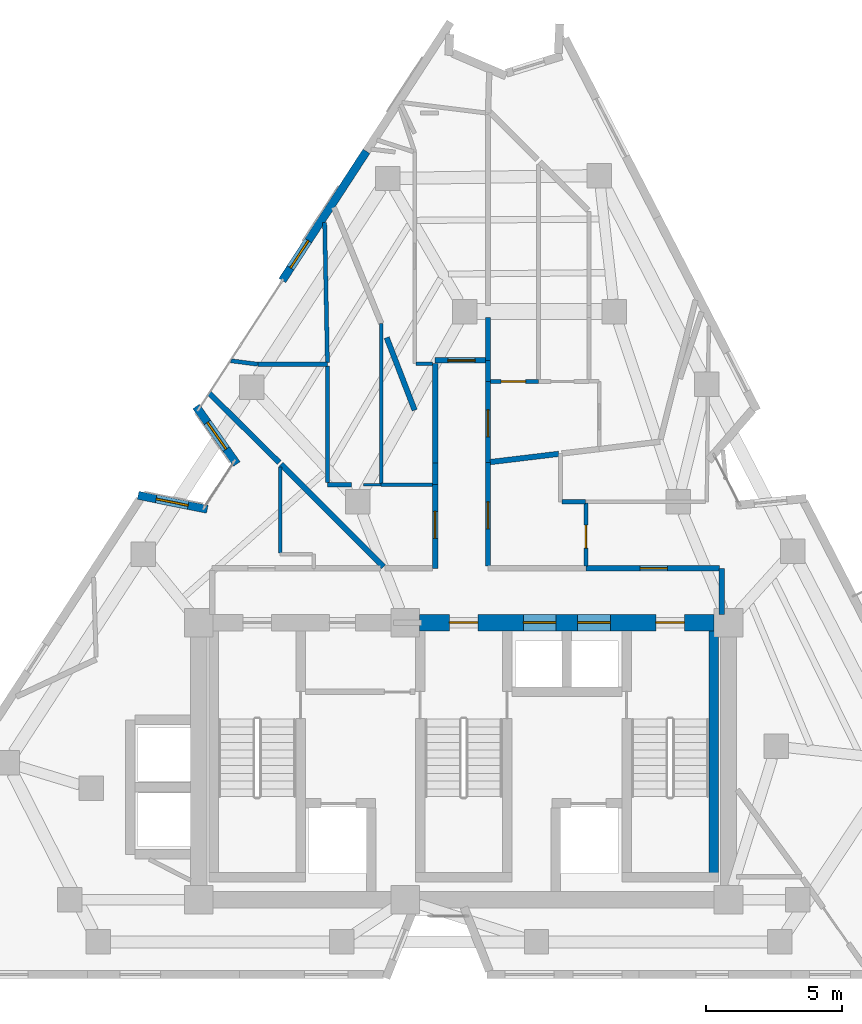
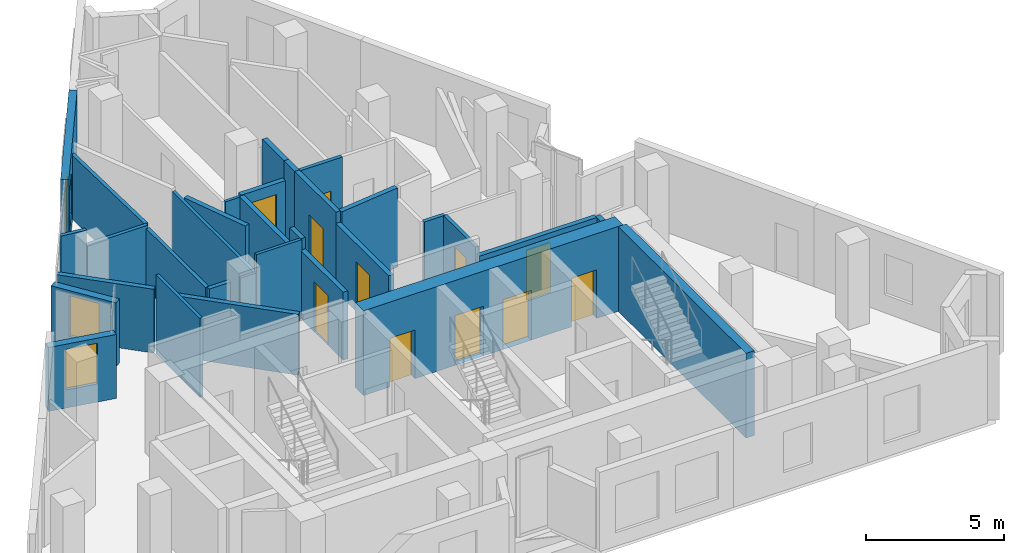
# One storey, part 6 of 10: 32 walls, 11 doors, 3 windows, 14 openings.
"""IFC4 building model written with IfcOpenShell, lengths in metres."""

from ifc_helpers import new_model, si_unit, direction, frame, frame_2d, origin, place, context, subcontext, project, spatial, rectangle, extrude, material, layer, layer_set, type_object, element, fill, save


model = new_model("IFC4")

# Units and contexts
model_context = context("Model", 3, precision=1e-05, world=origin(), true_north=direction((0.0, 1.0)))
body_context = subcontext(model_context, "Body", "Model", "MODEL_VIEW")
ifc_project = project(units=[si_unit("LENGTHUNIT", "METRE"), si_unit("AREAUNIT", "SQUARE_METRE"), si_unit("VOLUMEUNIT", "CUBIC_METRE"), si_unit("PLANEANGLEUNIT", "RADIAN"), si_unit("MASSUNIT", "GRAM", prefix="KILO")], contexts=[model_context])

# Site, building, storey
site_placement = place(None, origin())
site = spatial("IfcSite", under=ifc_project, at=site_placement, CompositionType="ELEMENT")
building_placement = place(site_placement, origin())
building = spatial("IfcBuilding", under=site, at=building_placement, Name="Almagre Mirador Tower", CompositionType="ELEMENT")
storey_placement = place(building_placement, frame((0.0, 0.0, 222.0)))
storey = spatial("IfcBuildingStorey", under=building, at=storey_placement, Name="L57", CompositionType="ELEMENT", Elevation=222.0)

# Wall, opening, window
ifc_material_1 = material(Name="Precast concrete C50/60", Category="concrete")
ifc_layer_1 = layer(ifc_material_1, 0.300048828125)
ifc_layer_set_1 = layer_set([ifc_layer_1], Name="Precast concrete C50/60")
wall_type_1 = type_object("IfcWallType", Name="WAL-EXT-300", PredefinedType="SOLIDWALL", material=ifc_layer_set_1)
wall_1_placement = place(storey_placement, frame((25.32568359375, 19.435546875, 0.0), z_axis=(0.0, 0.0, 1.0), x_axis=(0.98031922936, -0.197418865732, 0.0)))
wall_1 = element("IfcWall", 1, at=wall_1_placement, inside=storey, type_object=wall_type_1, Name="L57 expressed almagre precast frame wall 01", PredefinedType="SOLIDWALL", context=body_context, shape_type="SweptSolid", body=[
    extrude(rectangle(XDim=2.594482421875, YDim=0.300048828125, at=frame_2d((1.29736328125, 0.0))), origin(), (0.0, 0.0, 1.0), 2.824951171875),
])
opening_1_placement = place(wall_1_placement, frame((0.675048828125, 0.0, 0.800048828125)))
opening_1 = element("IfcOpeningElement", 2, at=opening_1_placement, cuts=wall_1, Name="Opening WN-04", PredefinedType="OPENING", context=body_context, shape_type="SweptSolid", body=[
    extrude(rectangle(XDim=1.199951171875, YDim=1.800048828125, at=frame_2d((0.60009765625, 0.89990234375))), frame((0.0, 0.159902, 0.0), z_axis=(0.0, -1.0, 0.0), x_axis=(1.0, 0.0, 0.0)), (0.0, 0.0, 1.0), 0.320049),
])
ifc_material_2 = material(Name="Dark solar-control laminated hurricane glass", Category="glass")
window_type = type_object("IfcWindowType", Name="WIN-1200X1800", PartitioningType="SINGLE_PANEL", PredefinedType="WINDOW", material=ifc_material_2)
window_1_placement = place(opening_1_placement, origin())
window_1 = element("IfcWindow", 3, at=window_1_placement, inside=storey, type_object=window_type, Name="L57 recessed hurricane window L57-UE-ST", OverallHeight=1.800048828125, OverallWidth=1.199951171875, PartitioningType="SINGLE_PANEL", PredefinedType="WINDOW", context=body_context, shape_type="SweptSolid", body=[
    extrude(rectangle(XDim=1.199951171875, YDim=1.800048828125, at=frame_2d((0.60009765625, 0.89990234375))), frame((0.0, 0.030029296875, 0.0), z_axis=(0.0, -1.0, 0.0), x_axis=(1.0, 0.0, 0.0)), (0.0, 0.0, 1.0), 0.06005859375),
])
fill(opening_1, window_1)

wall_2_placement = place(storey_placement, frame((28.952880859375, 20.588623046875, 0.0), z_axis=(0.0, 0.0, 1.0), x_axis=(-0.577134068778, 0.816649414777, 0.0)))
wall_2 = element("IfcWall", 4, at=wall_2_placement, inside=storey, type_object=wall_type_1, Name="L57 expressed almagre precast frame wall 02", PredefinedType="SOLIDWALL", context=body_context, shape_type="SweptSolid", body=[
    extrude(rectangle(XDim=2.593017578125, YDim=0.300048828125, at=frame_2d((1.29638671875, 0.0))), origin(), (0.0, 0.0, 1.0), 2.824951171875),
])
opening_2_placement = place(wall_2_placement, frame((0.675048828125, 0.0, 0.800048828125)))
opening_2 = element("IfcOpeningElement", 5, at=opening_2_placement, cuts=wall_2, Name="Opening WN-04", PredefinedType="OPENING", context=body_context, shape_type="SweptSolid", body=[
    extrude(rectangle(XDim=1.199951171875, YDim=1.800048828125, at=frame_2d((0.60009765625, 0.89990234375))), frame((0.0, 0.159902, 0.0), z_axis=(0.0, -1.0, 0.0), x_axis=(1.0, 0.0, 0.0)), (0.0, 0.0, 1.0), 0.320049),
])
window_2_placement = place(opening_2_placement, origin())
window_2 = element("IfcWindow", 6, at=window_2_placement, inside=storey, type_object=window_type, Name="L57 recessed hurricane window L57-UE-ST", OverallHeight=1.800048828125, OverallWidth=1.199951171875, PartitioningType="SINGLE_PANEL", PredefinedType="WINDOW", context=body_context, shape_type="SweptSolid", body=[
    extrude(rectangle(XDim=1.199951171875, YDim=1.800048828125, at=frame_2d((0.60009765625, 0.89990234375))), frame((0.0, 0.030029296875, 0.0), z_axis=(0.0, -1.0, 0.0), x_axis=(1.0, 0.0, 0.0)), (0.0, 0.0, 1.0), 0.06005859375),
])
fill(opening_2, window_2)

wall_3_placement = place(storey_placement, frame((30.630615234375, 27.343994140625, 0.0), z_axis=(0.0, 0.0, 1.0), x_axis=(0.545605666751, 0.838042037376, 0.0)))
wall_3 = element("IfcWall", 7, at=wall_3_placement, inside=storey, type_object=wall_type_1, Name="L57 expressed almagre precast frame wall 03", PredefinedType="SOLIDWALL", context=body_context, shape_type="SweptSolid", body=[
    extrude(rectangle(XDim=5.67041015625, YDim=0.300048828125, at=frame_2d((2.835205078125, 0.0))), origin(), (0.0, 0.0, 1.0), 3.5),
])
opening_3_placement = place(wall_3_placement, frame((0.550048828125, 0.0, 0.800048828125)))
opening_3 = element("IfcOpeningElement", 8, at=opening_3_placement, cuts=wall_3, Name="Opening WN-04", PredefinedType="OPENING", context=body_context, shape_type="SweptSolid", body=[
    extrude(rectangle(XDim=1.199951171875, YDim=1.800048828125, at=frame_2d((0.60009765625, 0.89990234375))), frame((0.0, 0.159902, 0.0), z_axis=(0.0, -1.0, 0.0), x_axis=(1.0, 0.0, 0.0)), (0.0, 0.0, 1.0), 0.320049),
])
window_3_placement = place(opening_3_placement, origin())
window_3 = element("IfcWindow", 9, at=window_3_placement, inside=storey, type_object=window_type, Name="L57 recessed hurricane window L57-UG-HB", OverallHeight=1.800048828125, OverallWidth=1.199951171875, PartitioningType="SINGLE_PANEL", PredefinedType="WINDOW", context=body_context, shape_type="SweptSolid", body=[
    extrude(rectangle(XDim=1.199951171875, YDim=1.800048828125, at=frame_2d((0.60009765625, 0.89990234375))), frame((0.0, 0.030029296875, 0.0), z_axis=(0.0, -1.0, 0.0), x_axis=(1.0, 0.0, 0.0)), (0.0, 0.0, 1.0), 0.06005859375),
])
fill(opening_3, window_3)

# Walls
ifc_material_3 = material(Name="Gypsum acoustic stud partition", Category="other")
ifc_layer_2 = layer(ifc_material_3, 0.10009765625)
ifc_layer_set_2 = layer_set([ifc_layer_2], Name="Gypsum acoustic stud partition")
wall_type_2 = type_object("IfcWallType", Name="WAL-PRT-100-CLS", PredefinedType="PARTITIONING", material=ifc_layer_set_2)
wall_4_placement = place(storey_placement, frame((34.27001953125, 19.830078125, 0.0), z_axis=(0.0, 0.0, 1.0), x_axis=(-1.0, 0.0, 0.0)))
element("IfcWall", 10, at=wall_4_placement, inside=storey, type_object=wall_type_2, Name="L57 interior partition 047", PredefinedType="PARTITIONING", context=body_context, shape_type="SweptSolid", body=[
    extrude(rectangle(XDim=0.64990234375, YDim=0.10009765625, at=frame_2d((0.324951171875, 0.0))), origin(), (0.0, 0.0, 1.0), 2.68505859375),
])
ifc_material_4 = material(Name="Gypsum acoustic stud partition", Category="other")
ifc_layer_3 = layer(ifc_material_4, 0.125)
ifc_layer_set_3 = layer_set([ifc_layer_3], Name="Gypsum acoustic stud partition")
wall_type_3 = type_object("IfcWallType", Name="WAL-PRT-125-UTL", PredefinedType="PARTITIONING", material=ifc_layer_set_3)
wall_5_placement = place(storey_placement, frame((30.550048828125, 17.3173828125, 0.0), z_axis=(0.0, 0.0, 1.0), x_axis=(0.0, 1.0, 0.0)))
element("IfcWall", 11, at=wall_5_placement, inside=storey, type_object=wall_type_3, Name="L57 interior partition 030", PredefinedType="PARTITIONING", context=body_context, shape_type="SweptSolid", body=[
    extrude(rectangle(XDim=3.167724609375, YDim=0.125, at=frame_2d((1.583984375, 0.0))), origin(), (0.0, 0.0, 1.0), 3.5),
])
wall_6_placement = place(storey_placement, frame((36.1650390625, 19.830078125, 0.0), z_axis=(0.0, 0.0, 1.0), x_axis=(-1.0, 0.0, 0.0)))
element("IfcWall", 12, at=wall_6_placement, inside=storey, type_object=wall_type_3, Name="L57 interior partition 044", PredefinedType="PARTITIONING", context=body_context, shape_type="SweptSolid", body=[
    extrude(rectangle(XDim=1.89501953125, YDim=0.125, at=frame_2d((0.947509765625, 0.0))), origin(), (0.0, 0.0, 1.0), 3.5),
])
wall_7_placement = place(storey_placement, frame((34.27001953125, 25.760009765625, 0.0), z_axis=(0.0, 0.0, 1.0), x_axis=(0.0, -1.0, 0.0)))
element("IfcWall", 13, at=wall_7_placement, inside=storey, type_object=wall_type_3, Name="L57 interior partition 049", PredefinedType="PARTITIONING", context=body_context, shape_type="SweptSolid", body=[
    extrude(rectangle(XDim=5.882568359375, YDim=0.125, at=frame_2d((2.94140625, 0.0))), origin(), (0.0, 0.0, 1.0), 2.68505859375),
])
wall_8_placement = place(storey_placement, frame((35.547607421875, 24.280029296875, 0.0), z_axis=(0.0, 0.0, 1.0), x_axis=(1.0, 0.0, 0.0)))
element("IfcWall", 14, at=wall_8_placement, inside=storey, type_object=wall_type_3, Name="L57 interior partition 065", PredefinedType="PARTITIONING", context=body_context, shape_type="SweptSolid", body=[
    extrude(rectangle(XDim=0.617431640625, YDim=0.125, at=frame_2d((0.30859375, 0.0))), origin(), (0.0, 0.0, 1.0), 2.68505859375),
])

# Wall, opening, door
ifc_material_5 = material(Name="Gypsum acoustic stud partition", Category="other")
ifc_layer_4 = layer(ifc_material_5, 0.14990234375)
ifc_layer_set_4 = layer_set([ifc_layer_4], Name="Gypsum acoustic stud partition")
wall_type_4 = type_object("IfcWallType", Name="WAL-PRT-150-STD", PredefinedType="PARTITIONING", material=ifc_layer_set_4)
wall_9_placement = place(storey_placement, frame((41.800048828125, 19.152587890625, 0.0), z_axis=(0.0, 0.0, 1.0), x_axis=(0.0, -1.0, 0.0)))
wall_9 = element("IfcWall", 15, at=wall_9_placement, inside=storey, type_object=wall_type_4, Name="L57 interior partition 036", PredefinedType="PARTITIONING", context=body_context, shape_type="SweptSolid", body=[
    extrude(rectangle(XDim=2.317626953125, YDim=0.14990234375, at=frame_2d((1.15869140625, 0.0))), origin(), (0.0, 0.0, 1.0), 3.0029296875),
])
opening_4_placement = place(wall_9_placement, frame((0.8125, 0.0, 0.0)))
opening_4 = element("IfcOpeningElement", 16, at=opening_4_placement, cuts=wall_9, Name="Opening UD-04", PredefinedType="OPENING", context=body_context, shape_type="SweptSolid", body=[
    extrude(rectangle(XDim=0.85009765625, YDim=2.10009765625, at=frame_2d((0.425048828125, 1.050048828125))), frame((0.0, 0.084951, 0.0), z_axis=(0.0, -1.0, 0.0), x_axis=(1.0, 0.0, 0.0)), (0.0, 0.0, 1.0), 0.169902),
])
ifc_material_6 = material(Name="Moisture-resistant oak timber", Category="wood")
door_type_1 = type_object("IfcDoorType", Name="DOR-UNR-850X2100", OperationType="NOTDEFINED", PredefinedType="DOOR", material=ifc_material_6)
door_1_placement = place(opening_4_placement, origin())
door_1 = element("IfcDoor", 17, at=door_1_placement, inside=storey, type_object=door_type_1, Name="DR-1761 L57 interior door L57-UF-ST to L57-UF-BT", OperationType="SINGLE_SWING_RIGHT", OverallHeight=2.10009765625, OverallWidth=0.85009765625, PredefinedType="DOOR", context=body_context, shape_type="SweptSolid", body=[
    extrude(rectangle(XDim=0.85009765625, YDim=2.10009765625, at=frame_2d((0.425048828125, 1.050048828125))), frame((0.0, 0.02490234375, 0.0), z_axis=(0.0, -1.0, 0.0), x_axis=(1.0, 0.0, 0.0)), (0.0, 0.0, 1.0), 0.050048828125),
])
fill(opening_4, door_1)

# Walls
wall_10_placement = place(storey_placement, frame((40.919921875, 19.199951171875, 0.0), z_axis=(0.0, 0.0, 1.0), x_axis=(1.0, 0.0, 0.0)))
element("IfcWall", 18, at=wall_10_placement, inside=storey, type_object=wall_type_4, Name="L57 interior partition 038", PredefinedType="PARTITIONING", context=body_context, shape_type="SweptSolid", body=[
    extrude(rectangle(XDim=0.86767578125, YDim=0.14990234375, at=frame_2d((0.433837890625, 0.0))), origin(), (0.0, 0.0, 1.0), 3.0029296875),
])
wall_11_placement = place(storey_placement, frame((32.2900390625, 24.260009765625, 0.0), z_axis=(0.0, 0.0, 1.0), x_axis=(-1.0, 0.0, 0.0)))
element("IfcWall", 19, at=wall_11_placement, inside=storey, type_object=wall_type_4, Name="L57 interior partition 043", PredefinedType="PARTITIONING", context=body_context, shape_type="SweptSolid", body=[
    extrude(rectangle(XDim=2.56005859375, YDim=0.14990234375, at=frame_2d((1.280029296875, 0.0))), origin(), (0.0, 0.0, 1.0), 2.820068359375),
])
wall_12_placement = place(storey_placement, frame((32.2900390625, 19.902587890625, 0.0), z_axis=(0.0, 0.0, 1.0), x_axis=(0.0, 1.0, 0.0)))
element("IfcWall", 20, at=wall_12_placement, inside=storey, type_object=wall_type_4, Name="L57 interior partition 046", PredefinedType="PARTITIONING", context=body_context, shape_type="SweptSolid", body=[
    extrude(rectangle(XDim=4.29736328125, YDim=0.14990234375, at=frame_2d((2.148681640625, 0.0))), origin(), (0.0, 0.0, 1.0), 2.68505859375),
])
wall_13_placement = place(storey_placement, frame((32.289306640625, 24.320068359375, 0.0), z_axis=(0.0, 0.0, 1.0), x_axis=(-0.019670034529, 0.999806526155, 0.0)))
element("IfcWall", 21, at=wall_13_placement, inside=storey, type_object=wall_type_4, Name="L57 interior partition 048", PredefinedType="PARTITIONING", context=body_context, shape_type="SweptSolid", body=[
    extrude(rectangle(XDim=5.15087890625, YDim=0.14990234375, at=frame_2d((2.575439453125, 0.0))), origin(), (0.0, 0.0, 1.0), 2.820068359375),
])

# Wall, opening, door
wall_14_placement = place(storey_placement, frame((40.06005859375, 23.6298828125, 0.0), z_axis=(0.0, 0.0, 1.0), x_axis=(-1.0, 0.0, 0.0)))
wall_14 = element("IfcWall", 22, at=wall_14_placement, inside=storey, type_object=wall_type_4, Name="L57 interior partition 055", PredefinedType="PARTITIONING", context=body_context, shape_type="SweptSolid", body=[
    extrude(rectangle(XDim=1.775146484375, YDim=0.14990234375, at=frame_2d((0.8876953125, 0.0))), origin(), (0.0, 0.0, 1.0), 3.5),
])
opening_5_placement = place(wall_14_placement, frame((0.47998046875, 0.0, 0.0)))
opening_5 = element("IfcOpeningElement", 23, at=opening_5_placement, cuts=wall_14, Name="Opening UD-02", PredefinedType="OPENING", context=body_context, shape_type="SweptSolid", body=[
    extrude(rectangle(XDim=0.89990234375, YDim=2.14990234375, at=frame_2d((0.449951171875, 1.074951171875))), frame((0.0, 0.084951, 0.0), z_axis=(0.0, -1.0, 0.0), x_axis=(1.0, 0.0, 0.0)), (0.0, 0.0, 1.0), 0.169902),
])
ifc_material_7 = material(Name="Solid American walnut timber", Category="wood")
door_type_2 = type_object("IfcDoorType", Name="DOR-UNR-900X2150", OperationType="NOTDEFINED", PredefinedType="DOOR", material=ifc_material_7)
door_2_placement = place(opening_5_placement, origin())
door_2 = element("IfcDoor", 24, at=door_2_placement, inside=storey, type_object=door_type_2, Name="DR-1766 L57 interior door L57-UH-LV to L57-UH-MB", OperationType="SINGLE_SWING_LEFT", OverallHeight=2.14990234375, OverallWidth=0.89990234375, PredefinedType="DOOR", context=body_context, shape_type="SweptSolid", body=[
    extrude(rectangle(XDim=0.89990234375, YDim=2.14990234375, at=frame_2d((0.449951171875, 1.074951171875))), frame((0.0, 0.02490234375, 0.0), z_axis=(0.0, -1.0, 0.0), x_axis=(1.0, 0.0, 0.0)), (0.0, 0.0, 1.0), 0.050048828125),
])
fill(opening_5, door_2)

# Walls
wall_15_placement = place(storey_placement, frame((28.736083984375, 24.387939453125, 0.0), z_axis=(0.0, 0.0, 1.0), x_axis=(0.991817716895, -0.127662118313, 0.0)))
element("IfcWall", 25, at=wall_15_placement, inside=storey, type_object=wall_type_4, Name="L57 interior partition 075", PredefinedType="PARTITIONING", context=body_context, shape_type="SweptSolid", body=[
    extrude(rectangle(XDim=1.002197265625, YDim=0.14990234375, at=frame_2d((0.5009765625, 0.0))), origin(), (0.0, 0.0, 1.0), 3.5),
])
ifc_material_8 = material(Name="Gypsum acoustic stud partition", Category="other")
ifc_layer_5 = layer(ifc_material_8, 0.175048828125)
ifc_layer_set_5 = layer_set([ifc_layer_5], Name="Gypsum acoustic stud partition")
wall_type_5 = type_object("IfcWallType", Name="WAL-PRT-175-AC", PredefinedType="PARTITIONING", material=ifc_layer_set_5)
wall_16_placement = place(storey_placement, frame((33.179931640625, 19.830078125, 0.0), z_axis=(0.0, 0.0, 1.0), x_axis=(-1.0, 0.0, 0.0)))
element("IfcWall", 26, at=wall_16_placement, inside=storey, type_object=wall_type_5, Name="L57 interior partition 045", PredefinedType="PARTITIONING", context=body_context, shape_type="SweptSolid", body=[
    extrude(rectangle(XDim=0.889892578125, YDim=0.175048828125, at=frame_2d((0.44482421875, 0.0))), origin(), (0.0, 0.0, 1.0), 2.68505859375),
])
ifc_material_9 = material(Name="Gypsum acoustic stud partition", Category="other")
ifc_layer_6 = layer(ifc_material_9, 0.199951171875)
ifc_layer_set_6 = layer_set([ifc_layer_6], Name="Gypsum acoustic stud partition")
wall_type_6 = type_object("IfcWallType", Name="WAL-PRT-200-EI60", PredefinedType="PARTITIONING", material=ifc_layer_set_6)
wall_17_placement = place(storey_placement, frame((46.800048828125, 15.050048828125, 0.0), z_axis=(0.0, 0.0, 1.0), x_axis=(0.0, 1.0, 0.0)))
element("IfcWall", 27, at=wall_17_placement, inside=storey, type_object=wall_type_6, Name="L57 interior partition 004", PredefinedType="PARTITIONING", context=body_context, shape_type="SweptSolid", body=[
    extrude(rectangle(XDim=1.699951171875, YDim=0.199951171875, at=frame_2d((0.85009765625, 0.0))), origin(), (0.0, 0.0, 1.0), 2.68505859375),
])

# Wall, opening, door
wall_18_placement = place(storey_placement, frame((46.715087890625, 16.75, 0.0), z_axis=(0.0, 0.0, 1.0), x_axis=(-1.0, 0.0, 0.0)))
wall_18 = element("IfcWall", 28, at=wall_18_placement, inside=storey, type_object=wall_type_6, Name="L57 interior partition 005", PredefinedType="PARTITIONING", context=body_context, shape_type="SweptSolid", body=[
    extrude(rectangle(XDim=4.9150390625, YDim=0.199951171875, at=frame_2d((2.45751953125, 0.0))), origin(), (0.0, 0.0, 1.0), 2.68505859375),
])
opening_6_placement = place(wall_18_placement, frame((1.9150390625, 0.0, 0.0)))
opening_6 = element("IfcOpeningElement", 29, at=opening_6_placement, cuts=wall_18, Name="Opening ID-01", PredefinedType="OPENING", context=body_context, shape_type="SweptSolid", body=[
    extrude(rectangle(XDim=1.0, YDim=2.199951171875, at=frame_2d((0.5, 1.10009765625))), frame((0.0, 0.110098, 0.0), z_axis=(0.0, -1.0, 0.0), x_axis=(1.0, 0.0, 0.0)), (0.0, 0.0, 1.0), 0.219951),
])
ifc_material_10 = material(Name="Fire-rated walnut timber", Category="wood")
door_type_3 = type_object("IfcDoorType", Name="DOR-FD60-1000X2200", OperationType="NOTDEFINED", PredefinedType="DOOR", material=ifc_material_10)
door_3_placement = place(opening_6_placement, origin())
door_3 = element("IfcDoor", 30, at=door_3_placement, inside=storey, type_object=door_type_3, Name="DR-1760 L57 interior door L57-RCOR to L57-UF-ST", OperationType="SINGLE_SWING_RIGHT", OverallHeight=2.199951171875, OverallWidth=1.0, PredefinedType="DOOR", context=body_context, shape_type="SweptSolid", body=[
    extrude(rectangle(XDim=1.0, YDim=2.199951171875, at=frame_2d((0.5, 1.10009765625))), frame((0.0, 0.02490234375, 0.0), z_axis=(0.0, -1.0, 0.0), x_axis=(1.0, 0.0, 0.0)), (0.0, 0.0, 1.0), 0.050048828125),
])
fill(opening_6, door_3)

wall_19_placement = place(storey_placement, frame((38.199951171875, 16.8349609375, 0.0), z_axis=(0.0, 0.0, 1.0), x_axis=(0.0, 1.0, 0.0)))
wall_19 = element("IfcWall", 31, at=wall_19_placement, inside=storey, type_object=wall_type_6, Name="L57 interior partition 007", PredefinedType="PARTITIONING", context=body_context, shape_type="SweptSolid", body=[
    extrude(rectangle(XDim=3.81494140625, YDim=0.199951171875, at=frame_2d((1.907470703125, 0.0))), origin(), (0.0, 0.0, 1.0), 3.0029296875),
])
opening_7_placement = place(wall_19_placement, frame((1.364990234375, 0.0, 0.0)))
opening_7 = element("IfcOpeningElement", 32, at=opening_7_placement, cuts=wall_19, Name="Opening ID-01", PredefinedType="OPENING", context=body_context, shape_type="SweptSolid", body=[
    extrude(rectangle(XDim=1.0, YDim=2.199951171875, at=frame_2d((0.5, 1.10009765625))), frame((0.0, 0.110098, 0.0), z_axis=(0.0, -1.0, 0.0), x_axis=(1.0, 0.0, 0.0)), (0.0, 0.0, 1.0), 0.219951),
])
door_4_placement = place(opening_7_placement, origin())
door_4 = element("IfcDoor", 33, at=door_4_placement, inside=storey, type_object=door_type_3, Name="DR-1770 L57 interior door L57-RCOR to L57-UF-BT", OperationType="SINGLE_SWING_RIGHT", OverallHeight=2.199951171875, OverallWidth=1.0, PredefinedType="DOOR", context=body_context, shape_type="SweptSolid", body=[
    extrude(rectangle(XDim=1.0, YDim=2.199951171875, at=frame_2d((0.5, 1.10009765625))), frame((0.0, 0.02490234375, 0.0), z_axis=(0.0, -1.0, 0.0), x_axis=(1.0, 0.0, 0.0)), (0.0, 0.0, 1.0), 0.050048828125),
])
fill(opening_7, door_4)

wall_20_placement = place(storey_placement, frame((36.25, 19.830078125, 0.0), z_axis=(0.0, 0.0, 1.0), x_axis=(0.0, -1.0, 0.0)))
wall_20 = element("IfcWall", 34, at=wall_20_placement, inside=storey, type_object=wall_type_6, Name="L57 interior partition 008", PredefinedType="PARTITIONING", context=body_context, shape_type="SweptSolid", body=[
    extrude(rectangle(XDim=3.080078125, YDim=0.199951171875, at=frame_2d((1.5400390625, 0.0))), origin(), (0.0, 0.0, 1.0), 3.0029296875),
])
opening_8_placement = place(wall_20_placement, frame((0.97998046875, 0.0, 0.0)))
opening_8 = element("IfcOpeningElement", 35, at=opening_8_placement, cuts=wall_20, Name="Opening ID-01", PredefinedType="OPENING", context=body_context, shape_type="SweptSolid", body=[
    extrude(rectangle(XDim=1.0, YDim=2.199951171875, at=frame_2d((0.5, 1.10009765625))), frame((0.0, 0.110098, 0.0), z_axis=(0.0, -1.0, 0.0), x_axis=(1.0, 0.0, 0.0)), (0.0, 0.0, 1.0), 0.219951),
])
door_5_placement = place(opening_8_placement, origin())
door_5 = element("IfcDoor", 36, at=door_5_placement, inside=storey, type_object=door_type_3, Name="DR-1762 L57 interior door L57-RCOR to L57-UG-LV", OperationType="SINGLE_SWING_LEFT", OverallHeight=2.199951171875, OverallWidth=1.0, PredefinedType="DOOR", context=body_context, shape_type="SweptSolid", body=[
    extrude(rectangle(XDim=1.0, YDim=2.199951171875, at=frame_2d((0.5, 1.10009765625))), frame((0.0, 0.02490234375, 0.0), z_axis=(0.0, -1.0, 0.0), x_axis=(1.0, 0.0, 0.0)), (0.0, 0.0, 1.0), 0.050048828125),
])
fill(opening_8, door_5)

# Wall
wall_21_placement = place(storey_placement, frame((36.25, 20.6298828125, 0.0), z_axis=(0.0, 0.0, 1.0), x_axis=(0.0, -1.0, 0.0)))
element("IfcWall", 37, at=wall_21_placement, inside=storey, type_object=wall_type_6, Name="L57 interior partition 010", PredefinedType="PARTITIONING", context=body_context, shape_type="SweptSolid", body=[
    extrude(rectangle(XDim=0.7998046875, YDim=0.199951171875, at=frame_2d((0.39990234375, 0.0))), origin(), (0.0, 0.0, 1.0), 3.5),
])

# Wall, opening, door
wall_22_placement = place(storey_placement, frame((38.199951171875, 20.64990234375, 0.0), z_axis=(0.0, 0.0, 1.0), x_axis=(0.0, 1.0, 0.0)))
wall_22 = element("IfcWall", 38, at=wall_22_placement, inside=storey, type_object=wall_type_6, Name="L57 interior partition 011", PredefinedType="PARTITIONING", context=body_context, shape_type="SweptSolid", body=[
    extrude(rectangle(XDim=2.97998046875, YDim=0.199951171875, at=frame_2d((1.489990234375, 0.0))), origin(), (0.0, 0.0, 1.0), 3.5),
])
opening_9_placement = place(wall_22_placement, frame((0.933349609375, 0.0, 0.0)))
opening_9 = element("IfcOpeningElement", 39, at=opening_9_placement, cuts=wall_22, Name="Opening ID-01", PredefinedType="OPENING", context=body_context, shape_type="SweptSolid", body=[
    extrude(rectangle(XDim=1.0, YDim=2.199951171875, at=frame_2d((0.5, 1.10009765625))), frame((0.0, 0.110098, 0.0), z_axis=(0.0, -1.0, 0.0), x_axis=(1.0, 0.0, 0.0)), (0.0, 0.0, 1.0), 0.219951),
])
door_6_placement = place(opening_9_placement, origin())
door_6 = element("IfcDoor", 40, at=door_6_placement, inside=storey, type_object=door_type_3, Name="DR-1763 L57 interior door L57-RCOR to L57-UH-LV", OperationType="SINGLE_SWING_RIGHT", OverallHeight=2.199951171875, OverallWidth=1.0, PredefinedType="DOOR", context=body_context, shape_type="SweptSolid", body=[
    extrude(rectangle(XDim=1.0, YDim=2.199951171875, at=frame_2d((0.5, 1.10009765625))), frame((0.0, 0.02490234375, 0.0), z_axis=(0.0, -1.0, 0.0), x_axis=(1.0, 0.0, 0.0)), (0.0, 0.0, 1.0), 0.050048828125),
])
fill(opening_9, door_6)

# Wall
wall_23_placement = place(storey_placement, frame((38.199951171875, 23.6298828125, 0.0), z_axis=(0.0, 0.0, 1.0), x_axis=(0.0, 1.0, 0.0)))
element("IfcWall", 41, at=wall_23_placement, inside=storey, type_object=wall_type_6, Name="L57 interior partition 012", PredefinedType="PARTITIONING", context=body_context, shape_type="SweptSolid", body=[
    extrude(rectangle(XDim=0.77001953125, YDim=0.199951171875, at=frame_2d((0.385009765625, 0.0))), origin(), (0.0, 0.0, 1.0), 3.5),
])

# Wall, opening, door
wall_24_placement = place(storey_placement, frame((38.114990234375, 24.39990234375, 0.0), z_axis=(0.0, 0.0, 1.0), x_axis=(-1.0, 0.0, 0.0)))
wall_24 = element("IfcWall", 42, at=wall_24_placement, inside=storey, type_object=wall_type_6, Name="L57 interior partition 013", PredefinedType="PARTITIONING", context=body_context, shape_type="SweptSolid", body=[
    extrude(rectangle(XDim=1.864990234375, YDim=0.199951171875, at=frame_2d((0.9326171875, 0.0))), origin(), (0.0, 0.0, 1.0), 2.68505859375),
])
opening_10_placement = place(wall_24_placement, frame((0.389892578125, 0.0, 0.0)))
opening_10 = element("IfcOpeningElement", 43, at=opening_10_placement, cuts=wall_24, Name="Opening ID-01", PredefinedType="OPENING", context=body_context, shape_type="SweptSolid", body=[
    extrude(rectangle(XDim=1.0, YDim=2.199951171875, at=frame_2d((0.5, 1.10009765625))), frame((0.0, 0.110098, 0.0), z_axis=(0.0, -1.0, 0.0), x_axis=(1.0, 0.0, 0.0)), (0.0, 0.0, 1.0), 0.219951),
])
door_7_placement = place(opening_10_placement, origin())
door_7 = element("IfcDoor", 44, at=door_7_placement, inside=storey, type_object=door_type_3, Name="DR-1767 L57 interior door L57-RCOR to L57-UJ-ST", OperationType="SINGLE_SWING_RIGHT", OverallHeight=2.199951171875, OverallWidth=1.0, PredefinedType="DOOR", context=body_context, shape_type="SweptSolid", body=[
    extrude(rectangle(XDim=1.0, YDim=2.199951171875, at=frame_2d((0.5, 1.10009765625))), frame((0.0, 0.02490234375, 0.0), z_axis=(0.0, -1.0, 0.0), x_axis=(1.0, 0.0, 0.0)), (0.0, 0.0, 1.0), 0.050048828125),
])
fill(opening_10, door_7)

# Walls
wall_25_placement = place(storey_placement, frame((36.25, 24.280029296875, 0.0), z_axis=(0.0, 0.0, 1.0), x_axis=(0.0, -1.0, 0.0)))
element("IfcWall", 45, at=wall_25_placement, inside=storey, type_object=wall_type_6, Name="L57 interior partition 014", PredefinedType="PARTITIONING", context=body_context, shape_type="SweptSolid", body=[
    extrude(rectangle(XDim=3.650146484375, YDim=0.199951171875, at=frame_2d((1.8251953125, 0.0))), origin(), (0.0, 0.0, 1.0), 2.68505859375),
])
wall_26_placement = place(storey_placement, frame((30.51611328125, 20.643310546875, 0.0), z_axis=(0.0, 0.0, 1.0), x_axis=(-0.710724995262, 0.703469957503, 0.0)))
element("IfcWall", 46, at=wall_26_placement, inside=storey, type_object=wall_type_6, Name="L57 interior partition 032", PredefinedType="PARTITIONING", context=body_context, shape_type="SweptSolid", body=[
    extrude(rectangle(XDim=3.63427734375, YDim=0.199951171875, at=frame_2d((1.817138671875, 0.0))), origin(), (0.0, 0.0, 1.0), 2.820068359375),
])
wall_27_placement = place(storey_placement, frame((34.349853515625, 16.81005859375, 0.0), z_axis=(0.0, 0.0, 1.0), x_axis=(-0.707106781187, 0.707106781187, 0.0)))
element("IfcWall", 47, at=wall_27_placement, inside=storey, type_object=wall_type_6, Name="L57 interior partition 033", PredefinedType="PARTITIONING", context=body_context, shape_type="SweptSolid", body=[
    extrude(rectangle(XDim=5.326416015625, YDim=0.199951171875, at=frame_2d((2.6630859375, 0.0))), origin(), (0.0, 0.0, 1.0), 2.68505859375),
])
wall_28_placement = place(storey_placement, frame((40.80029296875, 20.962890625, 0.0), z_axis=(0.0, 0.0, 1.0), x_axis=(-0.992838035114, -0.119468138141, 0.0)))
element("IfcWall", 48, at=wall_28_placement, inside=storey, type_object=wall_type_6, Name="L57 interior partition 042", PredefinedType="PARTITIONING", context=body_context, shape_type="SweptSolid", body=[
    extrude(rectangle(XDim=2.533935546875, YDim=0.199951171875, at=frame_2d((1.26708984375, 0.0))), origin(), (0.0, 0.0, 1.0), 3.5),
])
wall_29_placement = place(storey_placement, frame((35.5, 22.570068359375, 0.0), z_axis=(0.0, 0.0, 1.0), x_axis=(-0.359790409067, 0.933033151364, 0.0)))
element("IfcWall", 49, at=wall_29_placement, inside=storey, type_object=wall_type_6, Name="L57 interior partition 050", PredefinedType="PARTITIONING", context=body_context, shape_type="SweptSolid", body=[
    extrude(rectangle(XDim=2.86279296875, YDim=0.199951171875, at=frame_2d((1.431396484375, 0.0))), origin(), (0.0, 0.0, 1.0), 2.68505859375),
])
wall_30_placement = place(storey_placement, frame((38.199951171875, 25.97998046875, 0.0), z_axis=(0.0, 0.0, 1.0), x_axis=(0.0, -1.0, 0.0)))
element("IfcWall", 50, at=wall_30_placement, inside=storey, type_object=wall_type_6, Name="L57 interior partition 061", PredefinedType="PARTITIONING", context=body_context, shape_type="SweptSolid", body=[
    extrude(rectangle(XDim=1.580078125, YDim=0.199951171875, at=frame_2d((0.7900390625, 0.0))), origin(), (0.0, 0.0, 1.0), 3.5),
])
ifc_material_11 = material(Name="Concrete C60/75", Category="concrete")
ifc_layer_7 = layer(ifc_material_11, 0.35009765625)
ifc_layer_set_7 = layer_set([ifc_layer_7], Name="Concrete C60/75")
wall_type_7 = type_object("IfcWallType", Name="WAL-SHF-350", PredefinedType="SOLIDWALL", material=ifc_layer_set_7)
wall_31_placement = place(storey_placement, frame((46.5, 5.199951171875, 0.0), z_axis=(0.0, 0.0, 1.0), x_axis=(0.0, 1.0, 0.0)))
element("IfcWall", 51, at=wall_31_placement, inside=storey, type_object=wall_type_7, Name="L57 shaft wall ST3-E", PredefinedType="SOLIDWALL", context=body_context, shape_type="SweptSolid", body=[
    extrude(rectangle(XDim=9.25, YDim=0.35009765625, at=frame_2d((4.625, 0.0))), origin(), (0.0, 0.0, 1.0), 3.75),
])

# Wall, openings, doors
ifc_material_12 = material(Name="Concrete C60/75", Category="concrete")
ifc_layer_8 = layer(ifc_material_12, 0.60009765625)
ifc_layer_set_8 = layer_set([ifc_layer_8], Name="Concrete C60/75")
wall_type_8 = type_object("IfcWallType", Name="WAL-SHR-600", PredefinedType="SHEAR", material=ifc_layer_set_8)
wall_32_placement = place(storey_placement, frame((35.675048828125, 14.75, 0.0), z_axis=(0.0, 0.0, 1.0), x_axis=(1.0, 0.0, 0.0)))
wall_32 = element("IfcWall", 52, at=wall_32_placement, inside=storey, type_object=wall_type_8, Name="L57 core shear wall N2", PredefinedType="SHEAR", context=body_context, shape_type="SweptSolid", body=[
    extrude(rectangle(XDim=10.849853515625, YDim=0.60009765625, at=frame_2d((5.4248046875, 0.0))), origin(), (0.0, 0.0, 1.0), 3.75),
])
opening_11_placement = place(wall_32_placement, frame((1.10009765625, 0.0, 0.0)))
opening_11 = element("IfcOpeningElement", 53, at=opening_11_placement, cuts=wall_32, Name="Opening SD-01", PredefinedType="OPENING", context=body_context, shape_type="SweptSolid", body=[
    extrude(rectangle(XDim=1.050048828125, YDim=2.14990234375, at=frame_2d((0.52490234375, 1.074951171875))), frame((0.0, 0.310049, 0.0), z_axis=(0.0, -1.0, 0.0), x_axis=(1.0, 0.0, 0.0)), (0.0, 0.0, 1.0), 0.620098),
])
opening_12_placement = place(wall_32_placement, frame((8.699951171875, 0.0, 0.0)))
opening_12 = element("IfcOpeningElement", 54, at=opening_12_placement, cuts=wall_32, Name="Opening SD-01", PredefinedType="OPENING", context=body_context, shape_type="SweptSolid", body=[
    extrude(rectangle(XDim=1.050048828125, YDim=2.14990234375, at=frame_2d((0.52490234375, 1.074951171875))), frame((0.0, 0.310049, 0.0), z_axis=(0.0, -1.0, 0.0), x_axis=(1.0, 0.0, 0.0)), (0.0, 0.0, 1.0), 0.620098),
])
opening_13_placement = place(wall_32_placement, frame((3.824951171875, 0.0, 0.0)))
opening_13 = element("IfcOpeningElement", 55, at=opening_13_placement, cuts=wall_32, Name="Opening LD-02", PredefinedType="OPENING", context=body_context, shape_type="SweptSolid", body=[
    extrude(rectangle(XDim=1.199951171875, YDim=2.199951171875, at=frame_2d((0.60009765625, 1.10009765625))), frame((0.0, 0.310049, 0.0), z_axis=(0.0, -1.0, 0.0), x_axis=(1.0, 0.0, 0.0)), (0.0, 0.0, 1.0), 0.620098),
])
opening_14_placement = place(wall_32_placement, frame((5.824951171875, 0.0, 0.0)))
opening_14 = element("IfcOpeningElement", 56, at=opening_14_placement, cuts=wall_32, Name="Opening LD-02", PredefinedType="OPENING", context=body_context, shape_type="SweptSolid", body=[
    extrude(rectangle(XDim=1.199951171875, YDim=2.199951171875, at=frame_2d((0.60009765625, 1.10009765625))), frame((0.0, 0.310049, 0.0), z_axis=(0.0, -1.0, 0.0), x_axis=(1.0, 0.0, 0.0)), (0.0, 0.0, 1.0), 0.620098),
])
ifc_material_13 = material(Name="Hollow stainless steel", Category="steel")
door_type_4 = type_object("IfcDoorType", Name="DOR-LD-1200X2200", OperationType="DOUBLE_DOOR_SLIDING", PredefinedType="DOOR", material=ifc_material_13)
door_8_placement = place(opening_13_placement, origin())
door_8 = element("IfcDoor", 57, at=door_8_placement, inside=storey, type_object=door_type_4, Name="DR-1773 L57 PL-H1 lift landing door", OperationType="DOUBLE_DOOR_SLIDING", OverallHeight=2.199951171875, OverallWidth=1.199951171875, PredefinedType="DOOR", context=body_context, shape_type="SweptSolid", body=[
    extrude(rectangle(XDim=1.199951171875, YDim=2.199951171875, at=frame_2d((0.60009765625, 1.10009765625))), frame((0.0, 0.02490234375, 0.0), z_axis=(0.0, -1.0, 0.0), x_axis=(1.0, 0.0, 0.0)), (0.0, 0.0, 1.0), 0.050048828125),
])
fill(opening_13, door_8)
door_9_placement = place(opening_14_placement, origin())
door_9 = element("IfcDoor", 58, at=door_9_placement, inside=storey, type_object=door_type_4, Name="DR-1774 L57 PL-H2 lift landing door", OperationType="DOUBLE_DOOR_SLIDING", OverallHeight=2.199951171875, OverallWidth=1.199951171875, PredefinedType="DOOR", context=body_context, shape_type="SweptSolid", body=[
    extrude(rectangle(XDim=1.199951171875, YDim=2.199951171875, at=frame_2d((0.60009765625, 1.10009765625))), frame((0.0, 0.02490234375, 0.0), z_axis=(0.0, -1.0, 0.0), x_axis=(1.0, 0.0, 0.0)), (0.0, 0.0, 1.0), 0.050048828125),
])
fill(opening_14, door_9)
ifc_material_14 = material(Name="Fire-rated hollow steel", Category="steel")
door_type_5 = type_object("IfcDoorType", Name="DOR-ST-1050X2150", OperationType="NOTDEFINED", PredefinedType="DOOR", material=ifc_material_14)
door_10_placement = place(opening_11_placement, origin())
door_10 = element("IfcDoor", 59, at=door_10_placement, inside=storey, type_object=door_type_5, Name="DR-1776 L57 protected exit stair ST-2 door", OperationType="SINGLE_SWING_RIGHT", OverallHeight=2.14990234375, OverallWidth=1.050048828125, PredefinedType="DOOR", context=body_context, shape_type="SweptSolid", body=[
    extrude(rectangle(XDim=1.050048828125, YDim=2.14990234375, at=frame_2d((0.52490234375, 1.074951171875))), frame((0.0, 0.02490234375, 0.0), z_axis=(0.0, -1.0, 0.0), x_axis=(1.0, 0.0, 0.0)), (0.0, 0.0, 1.0), 0.050048828125),
])
fill(opening_11, door_10)
door_11_placement = place(opening_12_placement, origin())
door_11 = element("IfcDoor", 60, at=door_11_placement, inside=storey, type_object=door_type_5, Name="DR-1777 L57 protected exit stair ST-3 door", OperationType="SINGLE_SWING_LEFT", OverallHeight=2.14990234375, OverallWidth=1.050048828125, PredefinedType="DOOR", context=body_context, shape_type="SweptSolid", body=[
    extrude(rectangle(XDim=1.050048828125, YDim=2.14990234375, at=frame_2d((0.52490234375, 1.074951171875))), frame((0.0, 0.02490234375, 0.0), z_axis=(0.0, -1.0, 0.0), x_axis=(1.0, 0.0, 0.0)), (0.0, 0.0, 1.0), 0.050048828125),
])
fill(opening_12, door_11)

save(model, "model.ifc")
